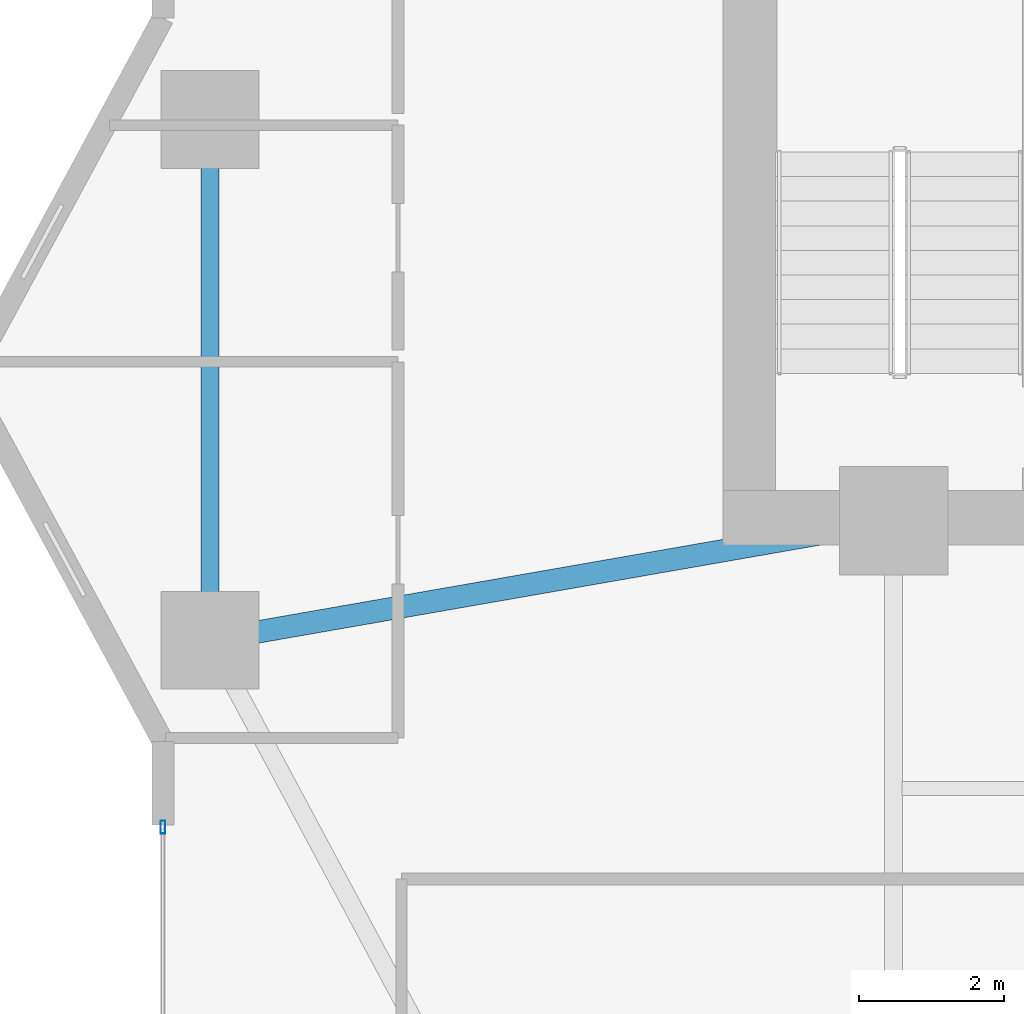
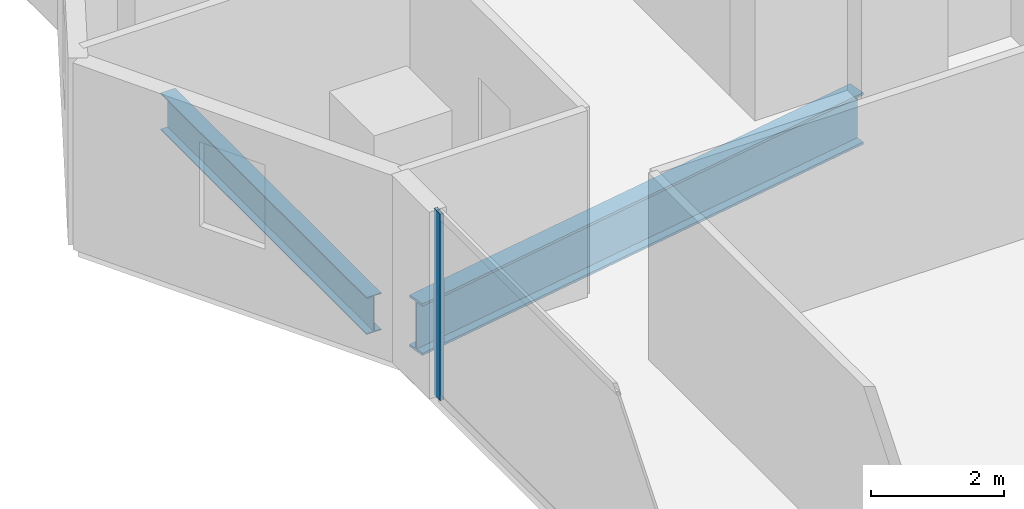
# One storey, part 7 of 29: 2 beams, 1 member, 1 element without a shape of its own.
"""IFC4 building model written with IfcOpenShell, lengths in metres."""

from ifc_helpers import new_model, si_unit, direction, frame, origin, origin_2d, place, context, subcontext, project, spatial, hollow_rectangle, i_section, extrude, material, layer, layer_set, material_profile, profile_set, type_object, element, aggregate, save


model = new_model("IFC4")

# Units and contexts
model_context = context("Model", 3, precision=1e-05, world=origin(), true_north=direction((0.0, 1.0)))
body_context = subcontext(model_context, "Body", "Model", "MODEL_VIEW")
ifc_project = project(units=[si_unit("LENGTHUNIT", "METRE"), si_unit("AREAUNIT", "SQUARE_METRE"), si_unit("VOLUMEUNIT", "CUBIC_METRE"), si_unit("PLANEANGLEUNIT", "RADIAN"), si_unit("MASSUNIT", "GRAM", prefix="KILO")], contexts=[model_context])

# Site, building, storey
site_placement = place(None, origin())
site = spatial("IfcSite", under=ifc_project, at=site_placement, CompositionType="ELEMENT")
building_placement = place(site_placement, origin())
building = spatial("IfcBuilding", under=site, at=building_placement, Name="Zuhayl Quay Hotel", CompositionType="ELEMENT")
storey_placement = place(building_placement, frame((0.0, 0.0, 106.60009765625)))
storey = spatial("IfcBuildingStorey", under=building, at=storey_placement, Name="L26", CompositionType="ELEMENT", Elevation=106.60009765625)

# Beams
ifc_material_1 = material(Name="Steel ASTM A992 Grade 50", Category="steel")
ifc_material_profile_1 = material_profile(ifc_material_1, i_section(OverallWidth=0.25390625, OverallDepth=0.68310546875, WebThickness=0.012451171875, FlangeThickness=0.018798828125, at=origin_2d()), Name="W27X94")
ifc_profile_set_1 = profile_set([ifc_material_profile_1], Name="Steel ASTM A992 Grade 50")
beam_type_1 = type_object("IfcBeamType", Name="BM_B2_W27X94", PredefinedType="BEAM", material=ifc_profile_set_1)
beam_1_placement = place(storey_placement, frame((-23.25, 9.60009765625, -0.5615234375), z_axis=(0.0, -1.0, 0.0), x_axis=(1.0, 0.0, 0.0)))
element("IfcBeam", 1, at=beam_1_placement, inside=storey, type_object=beam_type_1, Name="L26 Floor Beam RG_L26_11", PredefinedType="BEAM", context=body_context, shape_type="SweptSolid", body=[
    extrude(i_section(OverallWidth=0.25390625, OverallDepth=0.68310546875, WebThickness=0.012451171875, FlangeThickness=0.018798828125, at=origin_2d()), origin(), (0.0, 0.0, 1.0), 6.2001953125),
])
ifc_material_profile_2 = material_profile(ifc_material_1, i_section(OverallWidth=0.31005859375, OverallDepth=0.949951171875, WebThickness=0.0244140625, FlangeThickness=0.0439453125, at=origin_2d()), Name="W36X256")
ifc_profile_set_2 = profile_set([ifc_material_profile_2], Name="Steel ASTM A992 Grade 50")
beam_type_2 = type_object("IfcBeamType", Name="BM_PG1_W36X256", PredefinedType="BEAM", material=ifc_profile_set_2)
beam_2_placement = place(storey_placement, frame((-22.757568359375, 2.986083984375, -0.695068359375), z_axis=(0.985097302632, 0.171997977741, 0.0), x_axis=(-0.171997977741, 0.985097302632, 0.0)))
element("IfcBeam", 2, at=beam_2_placement, inside=storey, type_object=beam_type_2, Name="L26 Floor Beam FG_W_L26_1", PredefinedType="BEAM", context=body_context, shape_type="SweptSolid", body=[
    extrude(i_section(OverallWidth=0.31005859375, OverallDepth=0.949951171875, WebThickness=0.0244140625, FlangeThickness=0.0439453125, at=origin_2d()), origin(), (0.0, 0.0, 1.0), 8.64306640625),
])

# Curtain wall, member
ifc_material_2 = material(Name="Anodised Aluminium 6063-T6", Category="aluminium")
ifc_layer = layer(ifc_material_2, 0.179931640625, Name="Anodised Aluminium 6063-T6", Category="aluminium")
ifc_layer_set = layer_set([ifc_layer], Name="Anodised Aluminium 6063-T6")
curtain_wall_type = type_object("IfcCurtainWallType", Name="CW_SYS_Z2", PredefinedType="USERDEFINED", material=ifc_layer_set)
curtain_wall_placement = place(storey_placement, origin())
curtain_wall = element("IfcCurtainWall", 3, at=curtain_wall_placement, inside=storey, type_object=curtain_wall_type, Name="L26 Curtain Wall ENV_L26_E02_CW1", ObjectType="UNITISED CURTAIN WALL", PredefinedType="USERDEFINED")
ifc_material_3 = material(Name="Black-anodised aluminium 6063-T6", Category="aluminium")
ifc_material_profile_3 = material_profile(ifc_material_3, hollow_rectangle(XDim=0.06494140625, YDim=0.179931640625, WallThickness=0.00341796875, at=origin_2d()), Name="ALU180X65")
ifc_profile_set_3 = profile_set([ifc_material_profile_3], Name="Black-anodised aluminium 6063-T6")
member_type = type_object("IfcMemberType", Name="MB_CW_MUL_180", PredefinedType="MULLION", material=ifc_profile_set_3)
member_placement = place(storey_placement, frame((-23.89990234375, 0.3173828125, 0.0), z_axis=(0.0, 0.0, 1.0), x_axis=(-1.0, 0.0, 0.0)))
member = element("IfcMember", 4, at=member_placement, type_object=member_type, Name="CW-Z2 mullion 2", PredefinedType="MULLION", context=body_context, shape_type="SweptSolid", body=[
    extrude(hollow_rectangle(XDim=0.06494140625, YDim=0.179931640625, WallThickness=0.00341796875, at=origin_2d()), origin(), (0.0, 0.0, 1.0), 3.429931640625),
])
aggregate(curtain_wall, [member])

save(model, "model.ifc")
